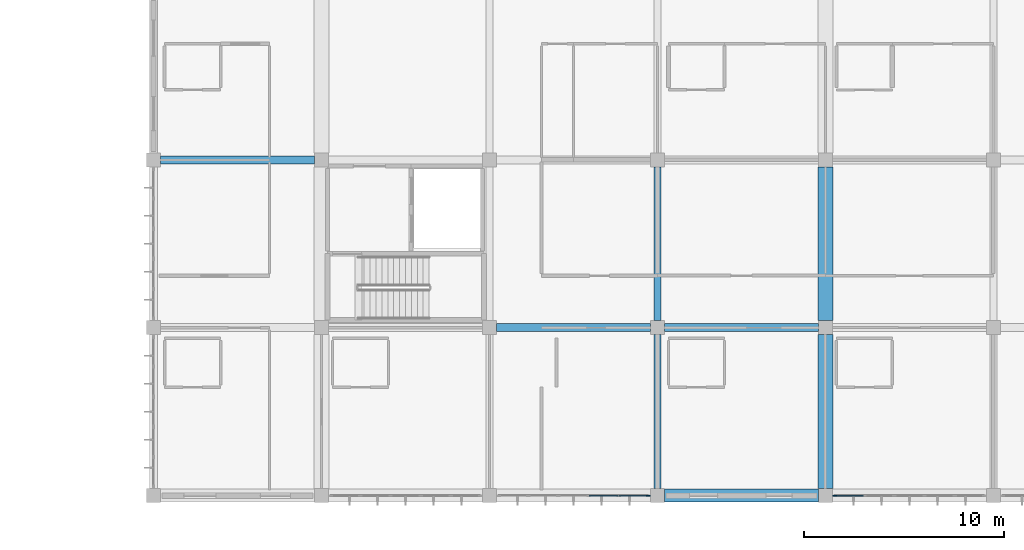
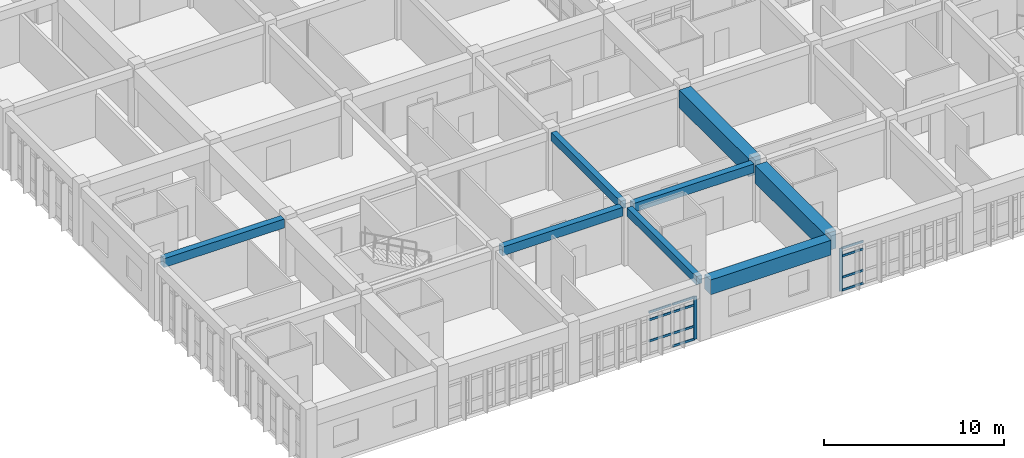
# One storey, part 9 of 119: 13 members, 8 beams, 2 elements without a shape of their own.
"""IFC4 building model written with IfcOpenShell, lengths in metres."""

from ifc_helpers import new_model, si_unit, direction, frame, origin, origin_2d, place, context, subcontext, project, spatial, rectangle, extrude, material, layer, layer_set, material_profile, profile_set, type_object, element, aggregate, save


model = new_model("IFC4")

# Units and contexts
model_context = context("Model", 3, precision=1e-05, world=origin(), true_north=direction((0.0, 1.0)))
body_context = subcontext(model_context, "Body", "Model", "MODEL_VIEW")
ifc_project = project(units=[si_unit("LENGTHUNIT", "METRE"), si_unit("AREAUNIT", "SQUARE_METRE"), si_unit("VOLUMEUNIT", "CUBIC_METRE"), si_unit("PLANEANGLEUNIT", "RADIAN"), si_unit("MASSUNIT", "GRAM", prefix="KILO")], contexts=[model_context])

# Site, building, storey
site_placement = place(None, origin())
site = spatial("IfcSite", under=ifc_project, at=site_placement, CompositionType="ELEMENT")
building_placement = place(site_placement, origin())
building = spatial("IfcBuilding", under=site, at=building_placement, Name="Bramfleet General Hospital", CompositionType="ELEMENT")
storey_placement = place(building_placement, frame((0.0, 0.0, 14.39990234375)))
storey = spatial("IfcBuildingStorey", under=building, at=storey_placement, Name="L03", CompositionType="ELEMENT", Elevation=14.39990234375)

# Beams
ifc_material_1 = material(Name="Concrete C35/45", Category="concrete")
ifc_material_profile_1 = material_profile(ifc_material_1, rectangle(XDim=0.35009765625, YDim=0.550048828125, at=origin_2d()), Name="RC BM 550x350")
ifc_profile_set_1 = profile_set([ifc_material_profile_1], Name="Concrete C35/45")
beam_type_1 = type_object("IfcBeamType", Name="BM-RC550", PredefinedType="BEAM", material=ifc_profile_set_1)
for number, where, z_axis, x_axis, name in (
    (1, (117.60009765625, 0.35009765625, 3.625), (0.0, 1.0, 0.0), (-1.0, 0.0, 0.0), "L03 Grid Beam Y 14-00"),
    (2, (117.60009765625, 8.75, 3.625), (0.0, 1.0, 0.0), (-1.0, 0.0, 0.0), "L03 Grid Beam Y 14-01"),
):
    element("IfcBeam", number, at=place(storey_placement, frame(where, z_axis=z_axis, x_axis=x_axis)), inside=storey, type_object=beam_type_1, Name=name, PredefinedType="BEAM", context=body_context, shape_type="SweptSolid", body=[
        extrude(rectangle(XDim=0.35009765625, YDim=0.550048828125, at=origin_2d()), origin(), (0.0, 0.0, 1.0), 7.699951171875),
    ])
ifc_material_profile_2 = material_profile(ifc_material_1, rectangle(XDim=0.39990234375, YDim=0.60009765625, at=origin_2d()), Name="RC BM 600x400")
ifc_profile_set_2 = profile_set([ifc_material_profile_2], Name="Concrete C35/45")
beam_type_2 = type_object("IfcBeamType", Name="BM-RC600", PredefinedType="BEAM", material=ifc_profile_set_2)
for number, where, z_axis, x_axis, name in (
    (3, (92.75, 16.800048828125, 3.60009765625), (1.0, 0.0, 0.0), (0.0, 1.0, 0.0), "L03 Grid Beam X 11-02"),
    (4, (109.550048828125, 8.39990234375, 3.60009765625), (1.0, 0.0, 0.0), (0.0, 1.0, 0.0), "L03 Grid Beam X 13-01"),
    (5, (117.949951171875, 8.39990234375, 3.60009765625), (1.0, 0.0, 0.0), (0.0, 1.0, 0.0), "L03 Grid Beam X 14-01"),
):
    element("IfcBeam", number, at=place(storey_placement, frame(where, z_axis=z_axis, x_axis=x_axis)), inside=storey, type_object=beam_type_2, Name=name, PredefinedType="BEAM", context=body_context, shape_type="SweptSolid", body=[
        extrude(rectangle(XDim=0.39990234375, YDim=0.60009765625, at=origin_2d()), origin(), (0.0, 0.0, 1.0), 7.699951171875),
    ])
ifc_material_2 = material(Name="Concrete C40/50", Category="concrete")
ifc_material_profile_3 = material_profile(ifc_material_2, rectangle(XDim=0.64990234375, YDim=1.0, at=origin_2d()), Name="RC TG 1000x650")
ifc_profile_set_3 = profile_set([ifc_material_profile_3], Name="Concrete C40/50")
beam_type_3 = type_object("IfcBeamType", Name="BM-TG1000", PredefinedType="BEAM", material=ifc_profile_set_3)
beam_placement = place(storey_placement, frame((117.949951171875, 0.0, 3.400146484375), z_axis=(1.0, 0.0, 0.0), x_axis=(0.0, 1.0, 0.0)))
element("IfcBeam", 6, at=beam_placement, inside=storey, type_object=beam_type_3, Name="L03 Transfer Girder X 14-00", PredefinedType="BEAM", context=body_context, shape_type="SweptSolid", body=[
    extrude(rectangle(XDim=0.64990234375, YDim=1.0, at=origin_2d()), origin(), (0.0, 0.0, 1.0), 7.699951171875),
])
ifc_material_profile_4 = material_profile(ifc_material_2, rectangle(XDim=0.75, YDim=1.199951171875, at=origin_2d()), Name="RC TG 1200x750")
ifc_profile_set_4 = profile_set([ifc_material_profile_4], Name="Concrete C40/50")
beam_type_4 = type_object("IfcBeamType", Name="BM-TG1200", PredefinedType="BEAM", material=ifc_profile_set_4)
for number, where, z_axis, x_axis, name in (
    (7, (126.0, 0.35009765625, 3.300048828125), (0.0, 1.0, 0.0), (-1.0, 0.0, 0.0), "L03 Transfer Girder Y 15-00"),
    (8, (126.0, 8.75, 3.300048828125), (0.0, 1.0, 0.0), (-1.0, 0.0, 0.0), "L03 Transfer Girder Y 15-01"),
):
    element("IfcBeam", number, at=place(storey_placement, frame(where, z_axis=z_axis, x_axis=x_axis)), inside=storey, type_object=beam_type_4, Name=name, PredefinedType="BEAM", context=body_context, shape_type="SweptSolid", body=[
        extrude(rectangle(XDim=0.75, YDim=1.199951171875, at=origin_2d()), origin(), (0.0, 0.0, 1.0), 7.699951171875),
    ])

# Curtain wall, member
ifc_material_3 = material(Name="Anodised aluminium and low-E triple glazing", Category="aluminium")
ifc_layer_1 = layer(ifc_material_3, 0.179931640625, Name="CWT-CW-10")
ifc_layer_set_1 = layer_set([ifc_layer_1], Name="Anodised aluminium and low-E triple glazing")
curtain_wall_type_1 = type_object("IfcCurtainWallType", Name="CWT-CW-10", PredefinedType="USERDEFINED", material=ifc_layer_set_1)
curtain_wall_1_placement = place(storey_placement, origin())
curtain_wall_1 = element("IfcCurtainWall", 9, at=curtain_wall_1_placement, inside=storey, type_object=curtain_wall_type_1, Name="L03 Curtain Wall 172", ObjectType="Stick curtain wall", PredefinedType="USERDEFINED")
ifc_material_4 = material(Name="Structural timber GL28h", Category="wood")
ifc_material_profile_5 = material_profile(ifc_material_4, rectangle(XDim=0.070068359375, YDim=0.18994140625, at=origin_2d()), Name="LARCH 190x70")
ifc_profile_set_5 = profile_set([ifc_material_profile_5], Name="Structural timber GL28h")
member_type_1 = type_object("IfcMemberType", Name="CWM-LARCH450", PredefinedType="MULLION", material=ifc_profile_set_5)
member_1_placement = place(storey_placement, frame((126.4599609375, 0.0, 0.0), z_axis=(0.0, 0.0, 1.0), x_axis=(0.0, -1.0, 0.0)))
member_1 = element("IfcMember", 10, at=member_1_placement, type_object=member_type_1, Name="CW-10 mullion 6", PredefinedType="MULLION", context=body_context, shape_type="SweptSolid", body=[
    extrude(rectangle(XDim=0.070068359375, YDim=0.18994140625, at=origin_2d()), origin(), (0.0, 0.0, 1.0), 2.89013671875),
])

ifc_layer_2 = layer(ifc_material_3, 0.179931640625, Name="CWT-CW-11")
ifc_layer_set_2 = layer_set([ifc_layer_2], Name="Anodised aluminium and low-E triple glazing")
curtain_wall_type_2 = type_object("IfcCurtainWallType", Name="CWT-CW-11", PredefinedType="USERDEFINED", material=ifc_layer_set_2)
curtain_wall_2_placement = place(storey_placement, origin())
curtain_wall_2 = element("IfcCurtainWall", 11, at=curtain_wall_2_placement, inside=storey, type_object=curtain_wall_type_2, Name="L03 Curtain Wall 173", ObjectType="Stick curtain wall", PredefinedType="USERDEFINED")
member_2_placement = place(storey_placement, frame((117.139892578125, 0.0, 0.0), z_axis=(0.0, 0.0, 1.0), x_axis=(0.0, -1.0, 0.0)))
member_2 = element("IfcMember", 12, at=member_2_placement, type_object=member_type_1, Name="CW-11 mullion 1", PredefinedType="MULLION", context=body_context, shape_type="SweptSolid", body=[
    extrude(rectangle(XDim=0.070068359375, YDim=0.18994140625, at=origin_2d()), origin(), (0.0, 0.0, 1.0), 2.89013671875),
])

# Member
ifc_material_profile_6 = material_profile(ifc_material_4, rectangle(XDim=0.06494140625, YDim=0.14990234375, at=origin_2d()), Name="LARCH 150x65")
ifc_profile_set_6 = profile_set([ifc_material_profile_6], Name="Structural timber GL28h")
member_type_2 = type_object("IfcMemberType", Name="CWT-LARCH220", PredefinedType="USERDEFINED", material=ifc_profile_set_6)
member_3_placement = place(storey_placement, frame((127.89990234375, 0.0, 0.03271484375), z_axis=(-1.0, 0.0, 0.0), x_axis=(0.0, -1.0, 0.0)))
member_3 = element("IfcMember", 13, at=member_3_placement, type_object=member_type_2, Name="CW-10 transom 5.1", ObjectType="TRANSOM", PredefinedType="USERDEFINED", context=body_context, shape_type="SweptSolid", body=[
    extrude(rectangle(XDim=0.06494140625, YDim=0.14990234375, at=origin_2d()), origin(), (0.0, 0.0, 1.0), 1.40478515625),
])

member_4_placement = place(storey_placement, frame((127.89990234375, 0.0, 0.900146484375), z_axis=(-1.0, 0.0, 0.0), x_axis=(0.0, -1.0, 0.0)))
member_4 = element("IfcMember", 14, at=member_4_placement, type_object=member_type_2, Name="CW-10 transom 5.2", ObjectType="TRANSOM", PredefinedType="USERDEFINED", context=body_context, shape_type="SweptSolid", body=[
    extrude(rectangle(XDim=0.06494140625, YDim=0.14990234375, at=origin_2d()), origin(), (0.0, 0.0, 1.0), 1.40478515625),
])

member_5_placement = place(storey_placement, frame((127.89990234375, 0.0, 2.340087890625), z_axis=(-1.0, 0.0, 0.0), x_axis=(0.0, -1.0, 0.0)))
member_5 = element("IfcMember", 15, at=member_5_placement, type_object=member_type_2, Name="CW-10 transom 5.3", ObjectType="TRANSOM", PredefinedType="USERDEFINED", context=body_context, shape_type="SweptSolid", body=[
    extrude(rectangle(XDim=0.06494140625, YDim=0.14990234375, at=origin_2d()), origin(), (0.0, 0.0, 1.0), 1.40478515625),
])

member_6_placement = place(storey_placement, frame((127.89990234375, 0.0, 2.857666015625), z_axis=(-1.0, 0.0, 0.0), x_axis=(0.0, -1.0, 0.0)))
member_6 = element("IfcMember", 16, at=member_6_placement, type_object=member_type_2, Name="CW-10 transom 5.4", ObjectType="TRANSOM", PredefinedType="USERDEFINED", context=body_context, shape_type="SweptSolid", body=[
    extrude(rectangle(XDim=0.06494140625, YDim=0.14990234375, at=origin_2d()), origin(), (0.0, 0.0, 1.0), 1.40478515625),
])

aggregate(curtain_wall_1, [member_1, member_3, member_4, member_5, member_6])

member_7_placement = place(storey_placement, frame((117.10498046875, 0.0, 0.03271484375), z_axis=(-1.0, 0.0, 0.0), x_axis=(0.0, -1.0, 0.0)))
member_7 = element("IfcMember", 17, at=member_7_placement, type_object=member_type_2, Name="CW-11 transom 1.1", ObjectType="TRANSOM", PredefinedType="USERDEFINED", context=body_context, shape_type="SweptSolid", body=[
    extrude(rectangle(XDim=0.06494140625, YDim=0.14990234375, at=origin_2d()), origin(), (0.0, 0.0, 1.0), 1.405029296875),
])

member_8_placement = place(storey_placement, frame((117.10498046875, 0.0, 0.900146484375), z_axis=(-1.0, 0.0, 0.0), x_axis=(0.0, -1.0, 0.0)))
member_8 = element("IfcMember", 18, at=member_8_placement, type_object=member_type_2, Name="CW-11 transom 1.2", ObjectType="TRANSOM", PredefinedType="USERDEFINED", context=body_context, shape_type="SweptSolid", body=[
    extrude(rectangle(XDim=0.06494140625, YDim=0.14990234375, at=origin_2d()), origin(), (0.0, 0.0, 1.0), 1.405029296875),
])

member_9_placement = place(storey_placement, frame((117.10498046875, 0.0, 2.340087890625), z_axis=(-1.0, 0.0, 0.0), x_axis=(0.0, -1.0, 0.0)))
member_9 = element("IfcMember", 19, at=member_9_placement, type_object=member_type_2, Name="CW-11 transom 1.3", ObjectType="TRANSOM", PredefinedType="USERDEFINED", context=body_context, shape_type="SweptSolid", body=[
    extrude(rectangle(XDim=0.06494140625, YDim=0.14990234375, at=origin_2d()), origin(), (0.0, 0.0, 1.0), 1.405029296875),
])

member_10_placement = place(storey_placement, frame((117.10498046875, 0.0, 2.857666015625), z_axis=(-1.0, 0.0, 0.0), x_axis=(0.0, -1.0, 0.0)))
member_10 = element("IfcMember", 20, at=member_10_placement, type_object=member_type_2, Name="CW-11 transom 1.4", ObjectType="TRANSOM", PredefinedType="USERDEFINED", context=body_context, shape_type="SweptSolid", body=[
    extrude(rectangle(XDim=0.06494140625, YDim=0.14990234375, at=origin_2d()), origin(), (0.0, 0.0, 1.0), 1.405029296875),
])

member_11_placement = place(storey_placement, frame((115.6298828125, 0.0, 0.900146484375), z_axis=(-1.0, 0.0, 0.0), x_axis=(0.0, -1.0, 0.0)))
member_11 = element("IfcMember", 21, at=member_11_placement, type_object=member_type_2, Name="CW-11 transom 2.2", ObjectType="TRANSOM", PredefinedType="USERDEFINED", context=body_context, shape_type="SweptSolid", body=[
    extrude(rectangle(XDim=0.06494140625, YDim=0.14990234375, at=origin_2d()), origin(), (0.0, 0.0, 1.0), 1.43994140625),
])

member_12_placement = place(storey_placement, frame((115.6298828125, 0.0, 2.340087890625), z_axis=(-1.0, 0.0, 0.0), x_axis=(0.0, -1.0, 0.0)))
member_12 = element("IfcMember", 22, at=member_12_placement, type_object=member_type_2, Name="CW-11 transom 2.3", ObjectType="TRANSOM", PredefinedType="USERDEFINED", context=body_context, shape_type="SweptSolid", body=[
    extrude(rectangle(XDim=0.06494140625, YDim=0.14990234375, at=origin_2d()), origin(), (0.0, 0.0, 1.0), 1.43994140625),
])

member_13_placement = place(storey_placement, frame((115.6298828125, 0.0, 2.857666015625), z_axis=(-1.0, 0.0, 0.0), x_axis=(0.0, -1.0, 0.0)))
member_13 = element("IfcMember", 23, at=member_13_placement, type_object=member_type_2, Name="CW-11 transom 2.4", ObjectType="TRANSOM", PredefinedType="USERDEFINED", context=body_context, shape_type="SweptSolid", body=[
    extrude(rectangle(XDim=0.06494140625, YDim=0.14990234375, at=origin_2d()), origin(), (0.0, 0.0, 1.0), 1.43994140625),
])

aggregate(curtain_wall_2, [member_2, member_7, member_8, member_9, member_10, member_11, member_12, member_13])

save(model, "model.ifc")
